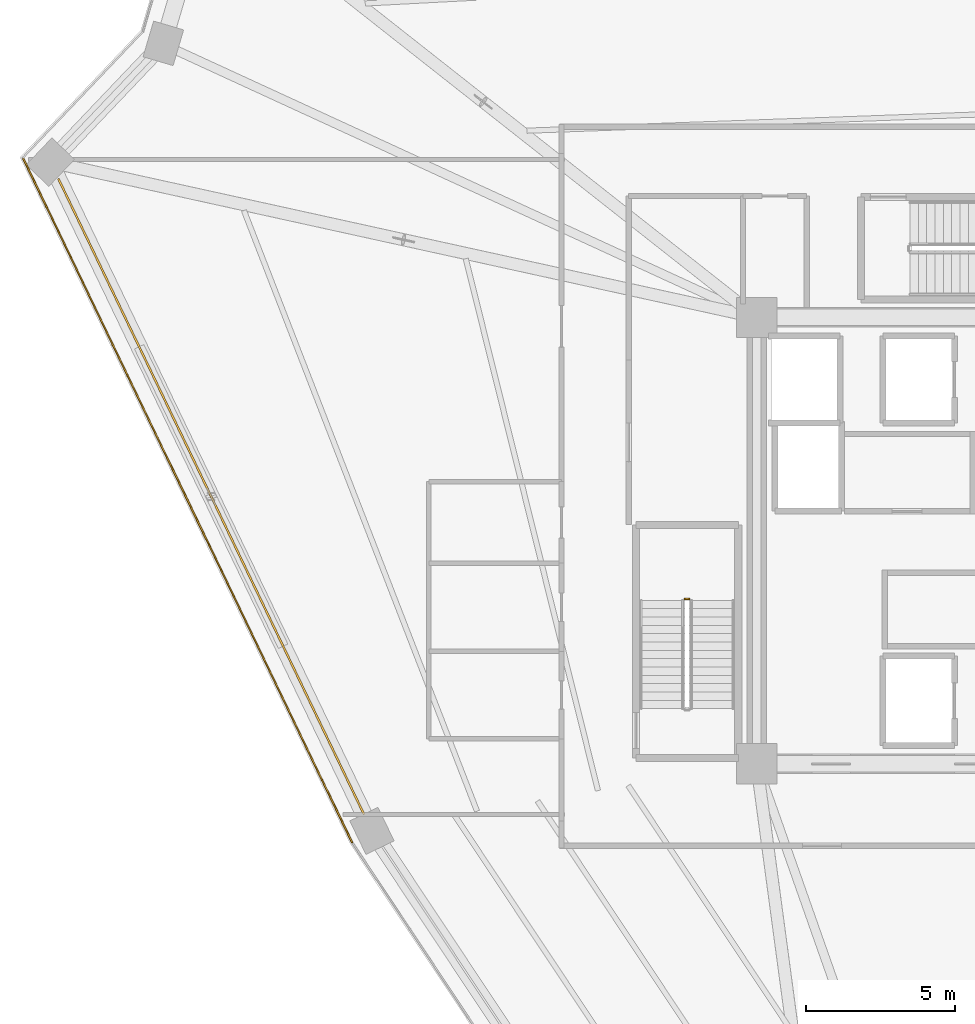
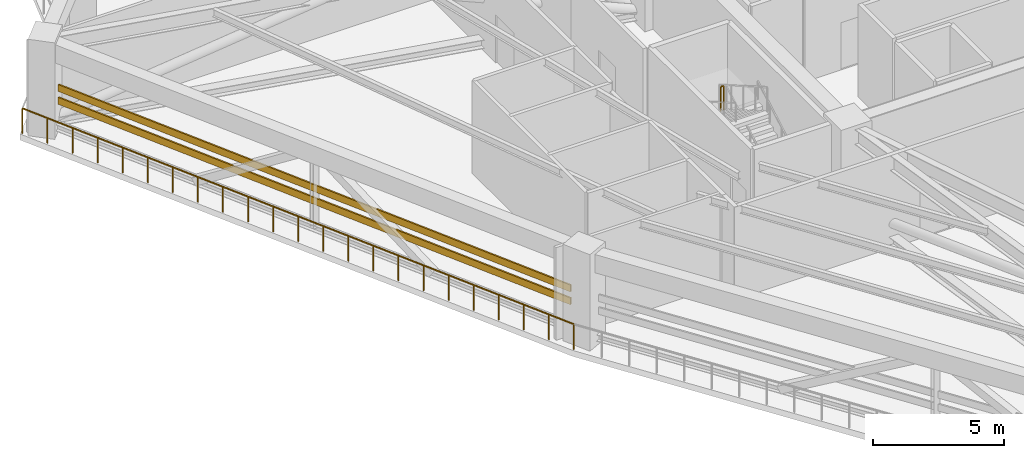
# One storey, part 21 of 25: 2 railings, 2 shading devices.
"""IFC4 building model written with IfcOpenShell, lengths in metres."""

from ifc_helpers import new_model, si_unit, direction, frame, origin, origin_2d, place, context, subcontext, project, spatial, rectangle, extrude, source, transform, mapped, material, material_profile, profile_set, type_object, element, save


model = new_model("IFC4")

# Units and contexts
model_context = context("Model", 3, precision=1e-05, world=origin(), true_north=direction((0.0, 1.0)))
body_context = subcontext(model_context, "Body", "Model", "MODEL_VIEW")
ifc_project = project(units=[si_unit("LENGTHUNIT", "METRE"), si_unit("AREAUNIT", "SQUARE_METRE"), si_unit("VOLUMEUNIT", "CUBIC_METRE"), si_unit("PLANEANGLEUNIT", "RADIAN"), si_unit("MASSUNIT", "GRAM", prefix="KILO")], contexts=[model_context])

# Site, building, storey
site_placement = place(None, origin())
site = spatial("IfcSite", under=ifc_project, at=site_placement, CompositionType="ELEMENT")
building_placement = place(site_placement, origin())
building = spatial("IfcBuilding", under=site, at=building_placement, Name="Liaohun Quay Tower", CompositionType="ELEMENT")
storey_placement = place(building_placement, frame((0.0, 0.0, 231.75)))
storey = spatial("IfcBuildingStorey", under=building, at=storey_placement, Name="L60", CompositionType="ELEMENT", Elevation=231.75)

# Railings
ifc_material_1 = material(Name="Galvanised and powder-coated steel", Category="steel")
railing_type_1 = type_object("IfcRailingType", Name="RLG-GUARD-EXT", PredefinedType="GUARDRAIL", material=ifc_material_1)
railing_1_placement = place(storey_placement, frame((37.39990234375, 43.864013671875, 0.0)))
element("IfcRailing", 1, at=railing_1_placement, inside=storey, type_object=railing_type_1, Name="L60 Open Refuge Band Perimeter Guardrail 02", PredefinedType="GUARDRAIL", context=body_context, shape_type="SweptSolid", body=[
    extrude(rectangle(XDim=0.048095703125, YDim=0.048095703125, at=origin_2d()), frame((0.0, 0.0, 1.17578125), z_axis=(-0.433345840089, 0.901227708672, 0.0), x_axis=(-0.901227708672, -0.433345840089, 0.0)), (0.0, 0.0, 1.0), 25.519775390625),
    extrude(rectangle(XDim=0.0419921875, YDim=0.0419921875, at=origin_2d()), origin(), (0.0, 0.0, 1.0), 1.15185546875),
    extrude(rectangle(XDim=0.0419921875, YDim=0.0419921875, at=origin_2d()), frame((-0.502685546875, 1.04541015625, 0.0)), (0.0, 0.0, 1.0), 1.15185546875),
    extrude(rectangle(XDim=0.0419921875, YDim=0.0419921875, at=origin_2d()), frame((-1.00537109375, 2.0908203125, 0.0)), (0.0, 0.0, 1.0), 1.15185546875),
    extrude(rectangle(XDim=0.0419921875, YDim=0.0419921875, at=origin_2d()), frame((-1.508056640625, 3.13623046875, 0.0)), (0.0, 0.0, 1.0), 1.15185546875),
    extrude(rectangle(XDim=0.0419921875, YDim=0.0419921875, at=origin_2d()), frame((-2.0107421875, 4.181640625, 0.0)), (0.0, 0.0, 1.0), 1.15185546875),
    extrude(rectangle(XDim=0.0419921875, YDim=0.0419921875, at=origin_2d()), frame((-2.513427734375, 5.22705078125, 0.0)), (0.0, 0.0, 1.0), 1.15185546875),
    extrude(rectangle(XDim=0.0419921875, YDim=0.0419921875, at=origin_2d()), frame((-3.01611328125, 6.2724609375, 0.0)), (0.0, 0.0, 1.0), 1.15185546875),
    extrude(rectangle(XDim=0.0419921875, YDim=0.0419921875, at=origin_2d()), frame((-3.518798828125, 7.31787109375, 0.0)), (0.0, 0.0, 1.0), 1.15185546875),
    extrude(rectangle(XDim=0.0419921875, YDim=0.0419921875, at=origin_2d()), frame((-4.021484375, 8.36328125, 0.0)), (0.0, 0.0, 1.0), 1.15185546875),
    extrude(rectangle(XDim=0.0419921875, YDim=0.0419921875, at=origin_2d()), frame((-4.524169921875, 9.40869140625, 0.0)), (0.0, 0.0, 1.0), 1.15185546875),
    extrude(rectangle(XDim=0.0419921875, YDim=0.0419921875, at=origin_2d()), frame((-5.02685546875, 10.4541015625, 0.0)), (0.0, 0.0, 1.0), 1.15185546875),
    extrude(rectangle(XDim=0.0419921875, YDim=0.0419921875, at=origin_2d()), frame((-5.529296875, 11.49951171875, 0.0)), (0.0, 0.0, 1.0), 1.15185546875),
    extrude(rectangle(XDim=0.0419921875, YDim=0.0419921875, at=origin_2d()), frame((-6.031982421875, 12.544921875, 0.0)), (0.0, 0.0, 1.0), 1.15185546875),
    extrude(rectangle(XDim=0.0419921875, YDim=0.0419921875, at=origin_2d()), frame((-6.53466796875, 13.59033203125, 0.0)), (0.0, 0.0, 1.0), 1.15185546875),
    extrude(rectangle(XDim=0.0419921875, YDim=0.0419921875, at=origin_2d()), frame((-7.037353515625, 14.6357421875, 0.0)), (0.0, 0.0, 1.0), 1.15185546875),
    extrude(rectangle(XDim=0.0419921875, YDim=0.0419921875, at=origin_2d()), frame((-7.5400390625, 15.68115234375, 0.0)), (0.0, 0.0, 1.0), 1.15185546875),
    extrude(rectangle(XDim=0.0419921875, YDim=0.0419921875, at=origin_2d()), frame((-8.042724609375, 16.7265625, 0.0)), (0.0, 0.0, 1.0), 1.15185546875),
    extrude(rectangle(XDim=0.0419921875, YDim=0.0419921875, at=origin_2d()), frame((-8.54541015625, 17.77197265625, 0.0)), (0.0, 0.0, 1.0), 1.15185546875),
    extrude(rectangle(XDim=0.0419921875, YDim=0.0419921875, at=origin_2d()), frame((-9.048095703125, 18.8173828125, 0.0)), (0.0, 0.0, 1.0), 1.15185546875),
    extrude(rectangle(XDim=0.0419921875, YDim=0.0419921875, at=origin_2d()), frame((-9.55078125, 19.86279296875, 0.0)), (0.0, 0.0, 1.0), 1.15185546875),
    extrude(rectangle(XDim=0.0419921875, YDim=0.0419921875, at=origin_2d()), frame((-10.053466796875, 20.908203125, 0.0)), (0.0, 0.0, 1.0), 1.15185546875),
    extrude(rectangle(XDim=0.0419921875, YDim=0.0419921875, at=origin_2d()), frame((-10.55615234375, 21.95361328125, 0.0)), (0.0, 0.0, 1.0), 1.15185546875),
    extrude(rectangle(XDim=0.0419921875, YDim=0.0419921875, at=origin_2d()), frame((-11.058837890625, 22.9990234375, 0.0)), (0.0, 0.0, 1.0), 1.15185546875),
])
ifc_material_2 = material(Name="Painted tubular steel", Category="steel")
railing_type_2 = type_object("IfcRailingType", Name="RLG-GUARD-STR", PredefinedType="GUARDRAIL", material=ifc_material_2)
railing_2_placement = place(storey_placement, frame((48.72998046875, 52.0400390625, 2.25)))
element("IfcRailing", 2, at=railing_2_placement, inside=storey, type_object=railing_type_2, Name="L60 ST-1 stair guard 2", PredefinedType="GUARDRAIL", context=body_context, shape_type="SweptSolid", body=[
    extrude(rectangle(XDim=0.048095703125, YDim=0.048095703125, at=origin_2d()), frame((0.0, 0.0, 1.1259765625), z_axis=(-1.0, 0.0, 0.0), x_axis=(0.0, -1.0, 0.0)), (0.0, 0.0, 1.0), 0.139892578125),
    extrude(rectangle(XDim=0.0419921875, YDim=0.0419921875, at=origin_2d()), origin(), (0.0, 0.0, 1.0), 1.101806640625),
    extrude(rectangle(XDim=0.0419921875, YDim=0.0419921875, at=origin_2d()), frame((-0.139892578125, 0.0, 0.0)), (0.0, 0.0, 1.0), 1.101806640625),
])

# Shading devices
ifc_material_3 = material(Name="Fluorocarbon-coated aluminium", Category="aluminium")
ifc_material_profile = material_profile(ifc_material_3, rectangle(XDim=0.06494140625, YDim=0.320068359375, at=origin_2d()), Name="ALU-LVR-320x65")
ifc_profile_set = profile_set([ifc_material_profile], Name="Fluorocarbon-coated aluminium")
shading_device_type = type_object("IfcShadingDeviceType", Name="SHD-LVR-REF", PredefinedType="USERDEFINED", material=ifc_profile_set)
shared_shape = source(origin(), body_context, "Body", "SweptSolid", [
    extrude(rectangle(XDim=0.06494140625, YDim=0.320068359375, at=origin_2d()), origin(), (0.0, 0.0, 1.0), 23.705078125),
])
for number, where, z_axis, x_axis, name in (
    (3, (37.803955078125, 44.799072265625, 1.550048828125), (-0.43332226592, 0.901239043682, 0.0), (-0.901239043682, -0.43332226592, 0.0), "L60 Refuge Plant Acoustic Louvre Blade LV-1-03"),
    (4, (37.803955078125, 44.799072265625, 2.14990234375), (-0.43332226592, 0.901239043682, 0.0), (-0.901239043682, -0.43332226592, 0.0), "L60 Refuge Plant Acoustic Louvre Blade LV-1-04"),
):
    element("IfcShadingDevice", number, at=place(storey_placement, frame(where, z_axis=z_axis, x_axis=x_axis)), inside=storey, type_object=shading_device_type, Name=name, ObjectType="LOUVRE", PredefinedType="USERDEFINED", context=body_context, shape_type="MappedRepresentation", body=[
        mapped(shared_shape, transform((0.0, 0.0, 0.0), x_axis=(1.0, 0.0, 0.0), y_axis=(0.0, 1.0, 0.0), z_axis=(0.0, 0.0, 1.0), scale=1.0)),
    ])

save(model, "model.ifc")
